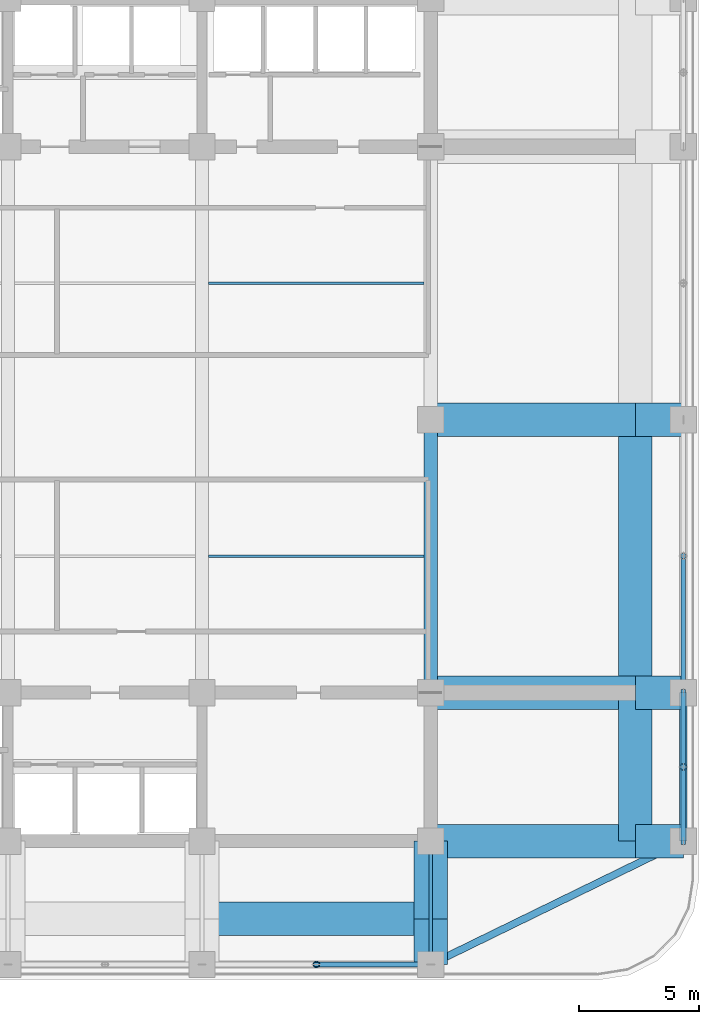
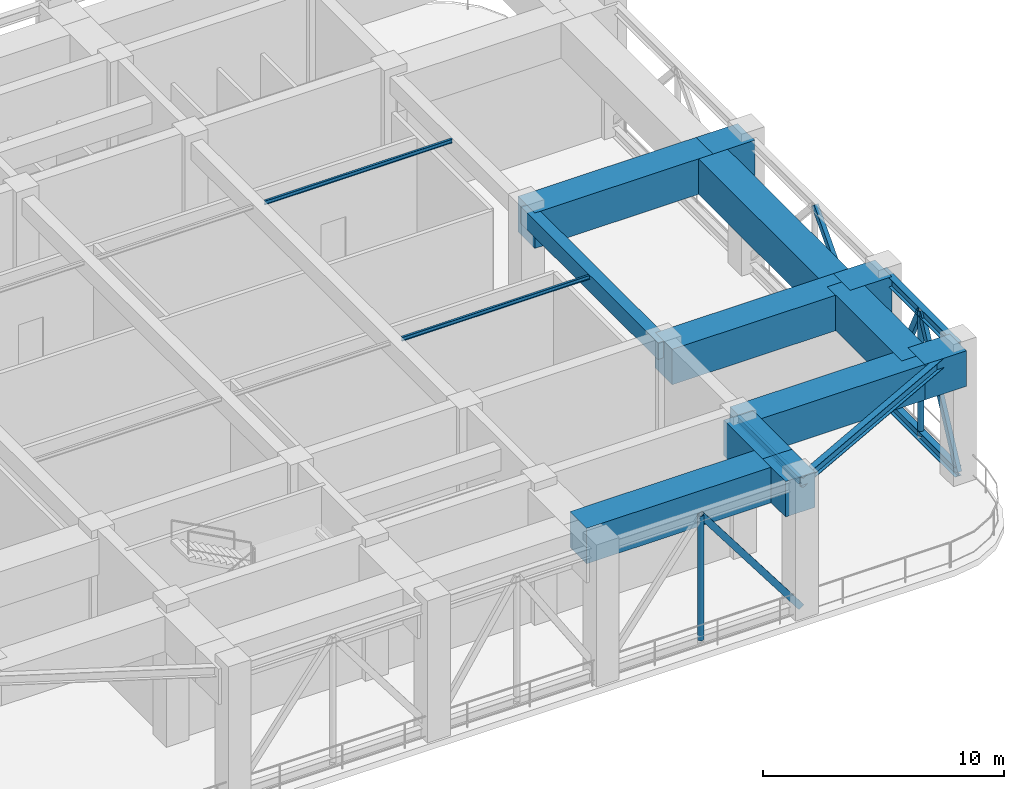
# One storey, part 6 of 20: 18 beams, 6 members.
"""IFC4 building model written with IfcOpenShell, lengths in metres."""

from ifc_helpers import new_model, si_unit, direction, frame, origin, origin_2d, place, context, subcontext, project, spatial, rectangle, hollow_rectangle, hollow_circle, i_section, extrude, material, material_profile, profile_set, type_object, element, save


model = new_model("IFC4")

# Units and contexts
model_context = context("Model", 3, precision=1e-05, world=origin(), true_north=direction((0.0, 1.0)))
body_context = subcontext(model_context, "Body", "Model", "MODEL_VIEW")
ifc_project = project(units=[si_unit("LENGTHUNIT", "METRE"), si_unit("AREAUNIT", "SQUARE_METRE"), si_unit("VOLUMEUNIT", "CUBIC_METRE"), si_unit("PLANEANGLEUNIT", "RADIAN"), si_unit("MASSUNIT", "GRAM", prefix="KILO")], contexts=[model_context])

# Site, building, storey
site_placement = place(None, origin())
site = spatial("IfcSite", under=ifc_project, at=site_placement, CompositionType="ELEMENT")
building_placement = place(site_placement, origin())
building = spatial("IfcBuilding", under=site, at=building_placement, Name="Svetorya Sky Lyceum", CompositionType="ELEMENT")
storey_placement = place(building_placement, frame((0.0, 0.0, 136.39990234375)))
storey = spatial("IfcBuildingStorey", under=building, at=storey_placement, Name="L34", CompositionType="ELEMENT", Elevation=136.39990234375)

# Beams
ifc_material_1 = material(Name="Concrete C50/60", Category="concrete")
ifc_material_profile_1 = material_profile(ifc_material_1, rectangle(XDim=0.550048828125, YDim=0.85009765625, at=origin_2d()), Name="RC BEAM 550x850")
ifc_profile_set_1 = profile_set([ifc_material_profile_1], Name="Concrete C50/60")
beam_type_1 = type_object("IfcBeamType", Name="BM-RC-850", PredefinedType="BEAM", material=ifc_profile_set_1)
beam_1_placement = place(storey_placement, frame((52.800048828125, 16.800048828125, 6.375), z_axis=(0.0, 1.0, 0.0), x_axis=(-1.0, 0.0, 0.0)))
element("IfcBeam", 1, at=beam_1_placement, inside=storey, type_object=beam_type_1, Name="L34 Central Bay Primary Girder CG-4A", PredefinedType="BEAM", context=body_context, shape_type="SweptSolid", body=[
    extrude(rectangle(XDim=0.550048828125, YDim=0.85009765625, at=origin_2d()), origin(), (0.0, 0.0, 1.0), 11.39990234375),
])
ifc_material_2 = material(Name="Steel S355", Category="steel")
ifc_material_profile_2 = material_profile(ifc_material_2, i_section(OverallWidth=0.10009765625, OverallDepth=0.199951171875, WebThickness=0.005615234375, FlangeThickness=0.008544921875, at=origin_2d()), Name="GOST 20B1")
ifc_profile_set_2 = profile_set([ifc_material_profile_2], Name="Steel S355")
beam_type_2 = type_object("IfcBeamType", Name="BM-STL-20B1", PredefinedType="JOIST", material=ifc_profile_set_2)
for number, where, z_axis, x_axis, name in (
    (2, (43.52490234375, 22.5, 6.7001953125), (1.0, 0.0, 0.0), (0.0, 1.0, 0.0), "L34 Central Floor Joist CJ-1.3"),
    (3, (43.52490234375, 33.89990234375, 6.7001953125), (1.0, 0.0, 0.0), (0.0, 1.0, 0.0), "L34 Central Floor Joist CJ-3.3"),
):
    element("IfcBeam", number, at=place(storey_placement, frame(where, z_axis=z_axis, x_axis=x_axis)), inside=storey, type_object=beam_type_2, Name=name, PredefinedType="JOIST", context=body_context, shape_type="SweptSolid", body=[
        extrude(i_section(OverallWidth=0.10009765625, OverallDepth=0.199951171875, WebThickness=0.005615234375, FlangeThickness=0.008544921875, at=origin_2d()), origin(), (0.0, 0.0, 1.0), 9.0),
    ])
ifc_material_profile_3 = material_profile(ifc_material_2, i_section(OverallWidth=0.155029296875, OverallDepth=0.34912109375, WebThickness=0.007080078125, FlangeThickness=0.011474609375, at=origin_2d()), Name="GOST 35B2")
ifc_profile_set_3 = profile_set([ifc_material_profile_3], Name="Steel S355")
beam_type_3 = type_object("IfcBeamType", Name="BM-STL-35B2", PredefinedType="JOIST", material=ifc_profile_set_3)
beam_2_placement = place(storey_placement, frame((52.800048828125, 5.449951171875, 6.62548828125), z_axis=(0.0, 1.0, 0.0), x_axis=(-1.0, 0.0, 0.0)))
element("IfcBeam", 4, at=beam_2_placement, inside=storey, type_object=beam_type_3, Name="L34 South Bay Floor Girder S4", PredefinedType="JOIST", context=body_context, shape_type="SweptSolid", body=[
    extrude(i_section(OverallWidth=0.155029296875, OverallDepth=0.34912109375, WebThickness=0.007080078125, FlangeThickness=0.011474609375, at=origin_2d()), origin(), (0.0, 0.0, 1.0), 5.150146484375),
])
ifc_material_profile_4 = material_profile(ifc_material_2, i_section(OverallWidth=0.300048828125, OverallDepth=0.491943359375, WebThickness=0.012939453125, FlangeThickness=0.0205078125, at=origin_2d()), Name="GOST 50Sh2")
ifc_profile_set_4 = profile_set([ifc_material_profile_4], Name="Steel S355")
beam_type_4 = type_object("IfcBeamType", Name="BM-STL-50SH2", PredefinedType="BEAM", material=ifc_profile_set_4)
for number, where, z_axis, x_axis, name in (
    (5, (63.35009765625, 10.60009765625, 0.24609375), (0.0, 1.0, 0.0), (-1.0, 0.0, 0.0), "L34 Belt Truss Bottom Chord E-1"),
    (6, (63.35009765625, 10.60009765625, 6.55419921875), (0.0, 1.0, 0.0), (-1.0, 0.0, 0.0), "L34 Belt Truss Top Chord E-1"),
):
    element("IfcBeam", number, at=place(storey_placement, frame(where, z_axis=z_axis, x_axis=x_axis)), inside=storey, type_object=beam_type_4, Name=name, PredefinedType="BEAM", context=body_context, shape_type="SweptSolid", body=[
        extrude(i_section(OverallWidth=0.300048828125, OverallDepth=0.491943359375, WebThickness=0.012939453125, FlangeThickness=0.0205078125, at=origin_2d()), origin(), (0.0, 0.0, 1.0), 6.199951171875),
    ])
beam_3_placement = place(storey_placement, frame((52.800048828125, 5.449951171875, 6.55419921875), z_axis=(0.898641495694, 0.438683783854, 0.0), x_axis=(-0.438683783854, 0.898641495694, 0.0)))
element("IfcBeam", 7, at=beam_3_placement, inside=storey, type_object=beam_type_4, Name="L34 Belt Truss Corner Tie 2", PredefinedType="BEAM", context=body_context, shape_type="SweptSolid", body=[
    extrude(i_section(OverallWidth=0.300048828125, OverallDepth=0.491943359375, WebThickness=0.012939453125, FlangeThickness=0.0205078125, at=origin_2d()), origin(), (0.0, 0.0, 1.0), 11.739990234375),
])
ifc_material_3 = material(Name="Concrete C60/75", Category="concrete")
ifc_material_profile_5 = material_profile(ifc_material_3, rectangle(XDim=1.39990234375, YDim=1.800048828125, at=origin_2d()), Name="RC TRANSFER 1400x1800")
ifc_profile_set_5 = profile_set([ifc_material_profile_5], Name="Concrete C60/75")
beam_type_5 = type_object("IfcBeamType", Name="BM-TRF-2200", PredefinedType="BEAM", material=ifc_profile_set_5)
beam_4_placement = place(storey_placement, frame((52.800048828125, 10.60009765625, 5.900146484375), z_axis=(1.0, 0.0, 0.0), x_axis=(0.0, 1.0, 0.0)))
element("IfcBeam", 8, at=beam_4_placement, inside=storey, type_object=beam_type_5, Name="L34 East Inner Transfer Girder 1", PredefinedType="BEAM", context=body_context, shape_type="SweptSolid", body=[
    extrude(rectangle(XDim=1.39990234375, YDim=1.800048828125, at=origin_2d()), origin(), (0.0, 0.0, 1.0), 8.550048828125),
])
beam_5_placement = place(storey_placement, frame((61.35009765625, 10.60009765625, 5.900146484375), z_axis=(1.0, 0.0, 0.0), x_axis=(0.0, 1.0, 0.0)))
element("IfcBeam", 9, at=beam_5_placement, inside=storey, type_object=beam_type_5, Name="L34 East Outer Transfer Girder 1", PredefinedType="BEAM", context=body_context, shape_type="SweptSolid", body=[
    extrude(rectangle(XDim=1.39990234375, YDim=1.800048828125, at=origin_2d()), origin(), (0.0, 0.0, 1.0), 2.0),
])
beam_6_placement = place(storey_placement, frame((52.800048828125, 16.800048828125, 5.900146484375), z_axis=(1.0, 0.0, 0.0), x_axis=(0.0, 1.0, 0.0)))
element("IfcBeam", 10, at=beam_6_placement, inside=storey, type_object=beam_type_5, Name="L34 East Inner Transfer Girder 2", PredefinedType="BEAM", context=body_context, shape_type="SweptSolid", body=[
    extrude(rectangle(XDim=1.39990234375, YDim=1.800048828125, at=origin_2d()), origin(), (0.0, 0.0, 1.0), 8.550048828125),
])
beam_7_placement = place(storey_placement, frame((61.35009765625, 16.800048828125, 5.900146484375), z_axis=(1.0, 0.0, 0.0), x_axis=(0.0, 1.0, 0.0)))
element("IfcBeam", 11, at=beam_7_placement, inside=storey, type_object=beam_type_5, Name="L34 East Outer Transfer Girder 2", PredefinedType="BEAM", context=body_context, shape_type="SweptSolid", body=[
    extrude(rectangle(XDim=1.39990234375, YDim=1.800048828125, at=origin_2d()), origin(), (0.0, 0.0, 1.0), 2.0),
])
beam_8_placement = place(storey_placement, frame((52.800048828125, 28.199951171875, 5.900146484375), z_axis=(1.0, 0.0, 0.0), x_axis=(0.0, 1.0, 0.0)))
element("IfcBeam", 12, at=beam_8_placement, inside=storey, type_object=beam_type_5, Name="L34 East Inner Transfer Girder 3", PredefinedType="BEAM", context=body_context, shape_type="SweptSolid", body=[
    extrude(rectangle(XDim=1.39990234375, YDim=1.800048828125, at=origin_2d()), origin(), (0.0, 0.0, 1.0), 8.550048828125),
])
beam_9_placement = place(storey_placement, frame((61.35009765625, 28.199951171875, 5.900146484375), z_axis=(1.0, 0.0, 0.0), x_axis=(0.0, 1.0, 0.0)))
element("IfcBeam", 13, at=beam_9_placement, inside=storey, type_object=beam_type_5, Name="L34 East Outer Transfer Girder 3", PredefinedType="BEAM", context=body_context, shape_type="SweptSolid", body=[
    extrude(rectangle(XDim=1.39990234375, YDim=1.800048828125, at=origin_2d()), origin(), (0.0, 0.0, 1.0), 2.0),
])
beam_10_placement = place(storey_placement, frame((61.35009765625, 10.60009765625, 5.900146484375), z_axis=(0.0, 1.0, 0.0), x_axis=(-1.0, 0.0, 0.0)))
element("IfcBeam", 14, at=beam_10_placement, inside=storey, type_object=beam_type_5, Name="L34 East Setback Transfer Girder 1", PredefinedType="BEAM", context=body_context, shape_type="SweptSolid", body=[
    extrude(rectangle(XDim=1.39990234375, YDim=1.800048828125, at=origin_2d()), origin(), (0.0, 0.0, 1.0), 6.199951171875),
])
beam_11_placement = place(storey_placement, frame((61.35009765625, 16.800048828125, 5.900146484375), z_axis=(0.0, 1.0, 0.0), x_axis=(-1.0, 0.0, 0.0)))
element("IfcBeam", 15, at=beam_11_placement, inside=storey, type_object=beam_type_5, Name="L34 East Setback Transfer Girder 2", PredefinedType="BEAM", context=body_context, shape_type="SweptSolid", body=[
    extrude(rectangle(XDim=1.39990234375, YDim=1.800048828125, at=origin_2d()), origin(), (0.0, 0.0, 1.0), 11.39990234375),
])
beam_12_placement = place(storey_placement, frame((52.800048828125, 5.449951171875, 5.900146484375), z_axis=(0.0, 1.0, 0.0), x_axis=(-1.0, 0.0, 0.0)))
element("IfcBeam", 16, at=beam_12_placement, inside=storey, type_object=beam_type_5, Name="L34 South Outer Transfer Girder 4", PredefinedType="BEAM", context=body_context, shape_type="SweptSolid", body=[
    extrude(rectangle(XDim=1.39990234375, YDim=1.800048828125, at=origin_2d()), origin(), (0.0, 0.0, 1.0), 1.900146484375),
])
beam_13_placement = place(storey_placement, frame((52.800048828125, 7.35009765625, 5.900146484375), z_axis=(0.0, 1.0, 0.0), x_axis=(-1.0, 0.0, 0.0)))
element("IfcBeam", 17, at=beam_13_placement, inside=storey, type_object=beam_type_5, Name="L34 South Inner Transfer Girder 4", PredefinedType="BEAM", context=body_context, shape_type="SweptSolid", body=[
    extrude(rectangle(XDim=1.39990234375, YDim=1.800048828125, at=origin_2d()), origin(), (0.0, 0.0, 1.0), 3.25),
])
beam_14_placement = place(storey_placement, frame((43.25, 7.35009765625, 5.900146484375), z_axis=(1.0, 0.0, 0.0), x_axis=(0.0, 1.0, 0.0)))
element("IfcBeam", 18, at=beam_14_placement, inside=storey, type_object=beam_type_5, Name="L34 South Setback Transfer Girder 3", PredefinedType="BEAM", context=body_context, shape_type="SweptSolid", body=[
    extrude(rectangle(XDim=1.39990234375, YDim=1.800048828125, at=origin_2d()), origin(), (0.0, 0.0, 1.0), 9.550048828125),
])

# Members
ifc_material_profile_6 = material_profile(ifc_material_2, hollow_rectangle(XDim=0.199951171875, YDim=0.300048828125, WallThickness=0.011962890625, at=origin_2d()), Name="RHS 300x200x12")
ifc_profile_set_6 = profile_set([ifc_material_profile_6], Name="Steel S355")
member_type_1 = type_object("IfcMemberType", Name="MB-BRC-RHS300", PredefinedType="BRACE", material=ifc_profile_set_6)
member_1_placement = place(storey_placement, frame((52.800048828125, 5.449951171875, 0.24609375), z_axis=(-0.603558801894, 0.0, 0.797318488846), x_axis=(0.0, -1.0, 0.0)))
element("IfcMember", 19, at=member_1_placement, inside=storey, type_object=member_type_1, Name="L34 Belt Truss Diagonal S-3B", PredefinedType="BRACE", context=body_context, shape_type="SweptSolid", body=[
    extrude(hollow_rectangle(XDim=0.199951171875, YDim=0.300048828125, WallThickness=0.011962890625, at=origin_2d()), origin(), (0.0, 0.0, 1.0), 7.91162109375),
])
member_2_placement = place(storey_placement, frame((63.35009765625, 10.60009765625, 0.24609375), z_axis=(0.0, 0.441033970868, 0.897490410278), x_axis=(-1.0, 0.0, 0.0)))
element("IfcMember", 20, at=member_2_placement, inside=storey, type_object=member_type_1, Name="L34 Belt Truss Diagonal E-1A", PredefinedType="BRACE", context=body_context, shape_type="SweptSolid", body=[
    extrude(hollow_rectangle(XDim=0.199951171875, YDim=0.300048828125, WallThickness=0.011962890625, at=origin_2d()), origin(), (0.0, 0.0, 1.0), 7.028564453125),
])
member_3_placement = place(storey_placement, frame((63.35009765625, 16.800048828125, 0.24609375), z_axis=(0.0, -0.44106194912, 0.897476660999), x_axis=(1.0, 0.0, 0.0)))
element("IfcMember", 21, at=member_3_placement, inside=storey, type_object=member_type_1, Name="L34 Belt Truss Diagonal E-1B", PredefinedType="BRACE", context=body_context, shape_type="SweptSolid", body=[
    extrude(hollow_rectangle(XDim=0.199951171875, YDim=0.300048828125, WallThickness=0.011962890625, at=origin_2d()), origin(), (0.0, 0.0, 1.0), 7.02880859375),
])
member_4_placement = place(storey_placement, frame((63.35009765625, 16.800048828125, 0.24609375), z_axis=(0.0, 0.670435716406, 0.7419676207), x_axis=(-1.0, 0.0, 0.0)))
element("IfcMember", 22, at=member_4_placement, inside=storey, type_object=member_type_1, Name="L34 Belt Truss Diagonal E-2A", PredefinedType="BRACE", context=body_context, shape_type="SweptSolid", body=[
    extrude(hollow_rectangle(XDim=0.199951171875, YDim=0.300048828125, WallThickness=0.011962890625, at=origin_2d()), origin(), (0.0, 0.0, 1.0), 8.501953125),
])
ifc_material_profile_7 = material_profile(ifc_material_2, hollow_circle(Radius=0.136474609375, WallThickness=0.011962890625, at=origin_2d()), Name="CHS 273x12")
ifc_profile_set_7 = profile_set([ifc_material_profile_7], Name="Steel S355")
member_type_2 = type_object("IfcMemberType", Name="MB-STR-CHS273", PredefinedType="STRUT", material=ifc_profile_set_7)
for number, where, z_axis, x_axis, name in (
    (23, (48.02490234375, 5.449951171875, 0.24609375), (0.0, 0.0, 1.0), (1.0, 0.0, 0.0), "L34 Belt Truss Post S-3"),
    (24, (63.35009765625, 13.699951171875, 0.24609375), (0.0, 0.0, 1.0), (1.0, 0.0, 0.0), "L34 Belt Truss Post E-1"),
):
    element("IfcMember", number, at=place(storey_placement, frame(where, z_axis=z_axis, x_axis=x_axis)), inside=storey, type_object=member_type_2, Name=name, PredefinedType="STRUT", context=body_context, shape_type="SweptSolid", body=[
        extrude(hollow_circle(Radius=0.136474609375, WallThickness=0.011962890625, at=origin_2d()), origin(), (0.0, 0.0, 1.0), 6.30810546875),
    ])

save(model, "model.ifc")
